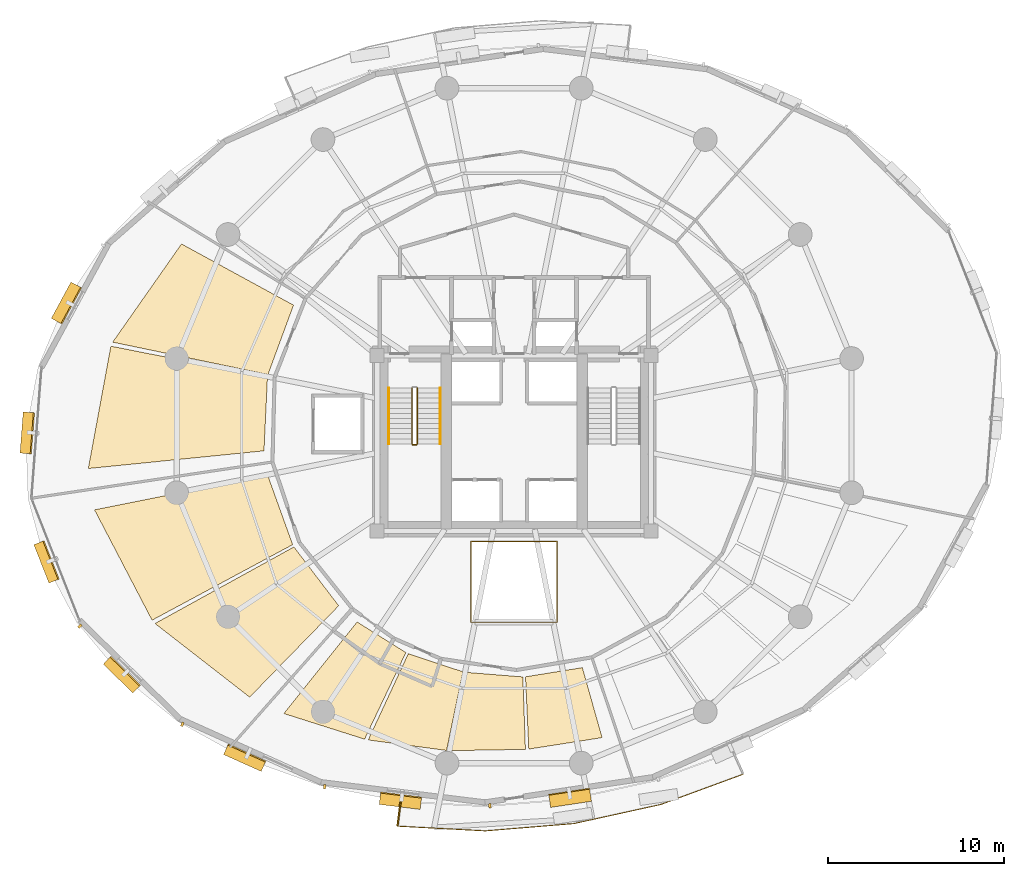
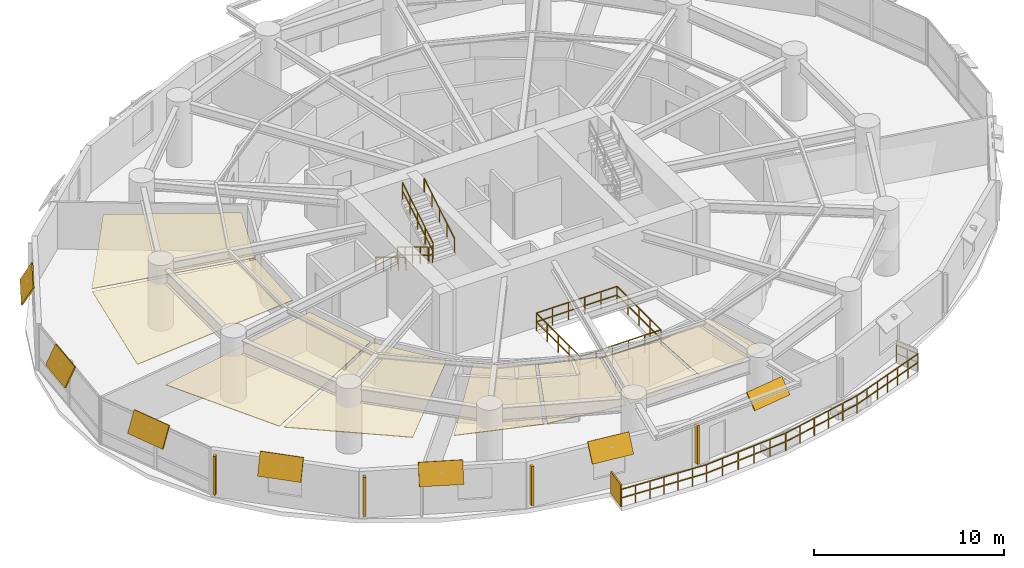
# One storey, part 15 of 17: 12 shading devices, 8 coverings, 7 railings.
"""IFC4 building model written with IfcOpenShell, lengths in metres."""

from ifc_helpers import new_model, si_unit, direction, frame, origin, origin_2d, place, context, subcontext, project, spatial, polyline, rectangle, outline, extrude, material, layer, layer_set, type_object, element, save


model = new_model("IFC4")

# Units and contexts
model_context = context("Model", 3, precision=1e-05, world=origin(), true_north=direction((0.0, 1.0)))
body_context = subcontext(model_context, "Body", "Model", "MODEL_VIEW")
ifc_project = project(units=[si_unit("LENGTHUNIT", "METRE"), si_unit("AREAUNIT", "SQUARE_METRE"), si_unit("VOLUMEUNIT", "CUBIC_METRE"), si_unit("PLANEANGLEUNIT", "RADIAN"), si_unit("MASSUNIT", "GRAM", prefix="KILO"), si_unit("THERMODYNAMICTEMPERATUREUNIT", "KELVIN"), si_unit("POWERUNIT", "WATT")], contexts=[model_context])

# Site, building, storey
site_placement = place(None, origin())
site = spatial("IfcSite", under=ifc_project, at=site_placement, CompositionType="ELEMENT")
building_placement = place(site_placement, origin())
building = spatial("IfcBuilding", under=site, at=building_placement, Name="Ocrelia Relay Tower", CompositionType="ELEMENT")
storey_placement = place(building_placement, frame((0.0, 0.0, 67.800048828125)))
storey = spatial("IfcBuildingStorey", under=building, at=storey_placement, Name="L15", CompositionType="ELEMENT", Elevation=67.800048828125)

# Coverings
ifc_material_1 = material(Name="Mineral-fiber acoustic ceiling tile", Category="gypsum")
ifc_layer_1 = layer(ifc_material_1, 0.0400390625, Name="Mineral-fiber acoustic ceiling tile")
ifc_layer_set_1 = layer_set([ifc_layer_1], Name="Mineral-fiber acoustic ceiling tile")
covering_type_1 = type_object("IfcCoveringType", Name="COV-CEIL-ACOUSTIC", PredefinedType="CEILING", material=ifc_layer_set_1)
covering_1_placement = place(storey_placement, frame((0.0, 0.0, 2.919921875)))
element("IfcCovering", 1, at=covering_1_placement, inside=storey, type_object=covering_type_1, Name="L15 Operations Control Office A Suspended Ceiling 1", PredefinedType="CEILING", context=body_context, shape_type="SweptSolid", body=[
    extrude(outline(polyline([(25.056396484375, 14.81640625), (20.885009765625, 9.600341796875), (25.481689453125, 8.14111328125), (27.835205078125, 13.074951171875), (25.056396484375, 14.81640625)])), origin(), (0.0, 0.0, 1.0), 0.0400390625),
])
covering_2_placement = place(storey_placement, frame((0.0, 0.0, 2.919921875)))
element("IfcCovering", 2, at=covering_2_placement, inside=storey, type_object=covering_type_1, Name="L15 Operations Control Office A Suspended Ceiling 2", PredefinedType="CEILING", context=body_context, shape_type="SweptSolid", body=[
    extrude(outline(polyline([(27.970703125, 13.010986328125), (25.689208984375, 8.095947265625), (30.15185546875, 7.498779296875), (31.083984375, 11.97998046875), (27.970703125, 13.010986328125)])), origin(), (0.0, 0.0, 1.0), 0.0400390625),
])
covering_3_placement = place(storey_placement, frame((0.0, 0.0, 2.919921875)))
element("IfcCovering", 3, at=covering_3_placement, inside=storey, type_object=covering_type_1, Name="L15 Operations Control Office A Suspended Ceiling 3", PredefinedType="CEILING", context=body_context, shape_type="SweptSolid", body=[
    extrude(outline(polyline([(31.230712890625, 11.9501953125), (30.351318359375, 7.48779296875), (34.64404296875, 7.559326171875), (34.499755859375, 11.688720703125), (31.230712890625, 11.9501953125)])), origin(), (0.0, 0.0, 1.0), 0.0400390625),
])
covering_4_placement = place(storey_placement, frame((0.0, 0.0, 2.919921875)))
element("IfcCovering", 4, at=covering_4_placement, inside=storey, type_object=covering_type_1, Name="L15 Operations Control Office A Suspended Ceiling 4", PredefinedType="CEILING", context=body_context, shape_type="SweptSolid", body=[
    extrude(outline(polyline([(34.649658203125, 11.694580078125), (34.836669921875, 7.576171875), (39.011474609375, 8.23046875), (37.886962890625, 12.217529296875), (34.649658203125, 11.694580078125)])), origin(), (0.0, 0.0, 1.0), 0.0400390625),
])
covering_5_placement = place(storey_placement, frame((0.0, 0.0, 2.919921875)))
element("IfcCovering", 5, at=covering_5_placement, inside=storey, type_object=covering_type_1, Name="L15 Carrier Briefing Room Suspended Ceiling 1", PredefinedType="CEILING", context=body_context, shape_type="SweptSolid", body=[
    extrude(outline(polyline([(21.433349609375, 32.86572265625), (15.053466796875, 36.351318359375), (11.13232421875, 30.756591796875), (19.97998046875, 28.916015625), (21.433349609375, 32.86572265625)])), origin(), (0.0, 0.0, 1.0), 0.0400390625),
])
covering_6_placement = place(storey_placement, frame((0.0, 0.0, 2.919921875)))
element("IfcCovering", 6, at=covering_6_placement, inside=storey, type_object=covering_type_1, Name="L15 Carrier Briefing Room Suspended Ceiling 2", PredefinedType="CEILING", context=body_context, shape_type="SweptSolid", body=[
    extrude(outline(polyline([(19.9501953125, 28.769287109375), (11.030029296875, 30.52734375), (9.74462890625, 23.5576171875), (19.752197265625, 24.565185546875), (19.9501953125, 28.769287109375)])), origin(), (0.0, 0.0, 1.0), 0.0400390625),
])
ifc_material_2 = material(Name="Cleanroom metal-pan acoustic ceiling", Category="aluminium")
ifc_layer_2 = layer(ifc_material_2, 0.0400390625, Name="Cleanroom metal-pan acoustic ceiling")
ifc_layer_set_2 = layer_set([ifc_layer_2], Name="Cleanroom metal-pan acoustic ceiling")
covering_type_2 = type_object("IfcCoveringType", Name="COV-CEIL-CLEAN", PredefinedType="CEILING", material=ifc_layer_set_2)
covering_7_placement = place(storey_placement, frame((0.0, 0.0, 2.919921875)))
element("IfcCovering", 7, at=covering_7_placement, inside=storey, type_object=covering_type_2, Name="L15 Network Monitoring Studio Suspended Ceiling 1", PredefinedType="CEILING", context=body_context, shape_type="SweptSolid", body=[
    extrude(outline(polyline([(19.960205078125, 23.181884765625), (10.098876953125, 21.202392578125), (13.376708984375, 14.918701171875), (21.385498046875, 19.22216796875), (19.960205078125, 23.181884765625)])), origin(), (0.0, 0.0, 1.0), 0.0400390625),
])
covering_8_placement = place(storey_placement, frame((0.0, 0.0, 2.919921875)))
element("IfcCovering", 8, at=covering_8_placement, inside=storey, type_object=covering_type_2, Name="L15 Network Monitoring Studio Suspended Ceiling 2", PredefinedType="CEILING", context=body_context, shape_type="SweptSolid", body=[
    extrude(outline(polyline([(21.457275390625, 19.09033203125), (13.5419921875, 14.729736328125), (18.934814453125, 10.53515625), (24.007568359375, 15.74267578125), (21.457275390625, 19.09033203125)])), origin(), (0.0, 0.0, 1.0), 0.0400390625),
])

# Railings
ifc_material_3 = material(Name="Steel S355 balustrade", Category="steel")
railing_type_1 = type_object("IfcRailingType", Name="RL-EXT-GUARD-1150", PredefinedType="GUARDRAIL", material=ifc_material_3)
railing_1_placement = place(storey_placement, frame((46.486083984375, 7.41748046875, 0.0)))
element("IfcRailing", 9, at=railing_1_placement, inside=storey, type_object=railing_type_1, Name="L15 Loggia Balcony Guard Rail B2", PredefinedType="GUARDRAIL", context=body_context, shape_type="SweptSolid", body=[
    extrude(rectangle(XDim=0.048095703125, YDim=0.048095703125, at=origin_2d()), frame((0.0, 0.0, 1.1259765625), z_axis=(0.410116994028, -0.912032922218, 0.0), x_axis=(0.912032922218, 0.410116994028, 0.0)), (0.0, 0.0, 1.0), 1.3935546875),
    extrude(rectangle(XDim=0.048095703125, YDim=0.048095703125, at=origin_2d()), frame((0.0, 0.0, 0.574951171875), z_axis=(0.410116994028, -0.912032922218, 0.0), x_axis=(0.912032922218, 0.410116994028, 0.0)), (0.0, 0.0, 1.0), 1.3935546875),
    extrude(rectangle(XDim=0.048095703125, YDim=0.048095703125, at=origin_2d()), frame((0.571533203125, -1.27099609375, 1.1259765625), z_axis=(-0.938667184319, -0.34482447286, 0.0), x_axis=(0.34482447286, -0.938667184319, 0.0)), (0.0, 0.0, 1.0), 2.5048828125),
    extrude(rectangle(XDim=0.048095703125, YDim=0.048095703125, at=origin_2d()), frame((0.571533203125, -1.27099609375, 0.574951171875), z_axis=(-0.938667184319, -0.34482447286, 0.0), x_axis=(0.34482447286, -0.938667184319, 0.0)), (0.0, 0.0, 1.0), 2.5048828125),
    extrude(rectangle(XDim=0.048095703125, YDim=0.048095703125, at=origin_2d()), frame((-1.77978515625, -2.134765625, 1.1259765625), z_axis=(-0.938635635039, -0.344910342893, 0.0), x_axis=(0.344910342893, -0.938635635039, 0.0)), (0.0, 0.0, 1.0), 2.505126953125),
    extrude(rectangle(XDim=0.048095703125, YDim=0.048095703125, at=origin_2d()), frame((-1.77978515625, -2.134765625, 0.574951171875), z_axis=(-0.938635635039, -0.344910342893, 0.0), x_axis=(0.344910342893, -0.938635635039, 0.0)), (0.0, 0.0, 1.0), 2.505126953125),
    extrude(rectangle(XDim=0.048095703125, YDim=0.048095703125, at=origin_2d()), frame((-4.131103515625, -2.998779296875, 1.1259765625), z_axis=(-0.976691377526, -0.214648440634, 0.0), x_axis=(0.214648440634, -0.976691377526, 0.0)), (0.0, 0.0, 1.0), 5.06494140625),
    extrude(rectangle(XDim=0.048095703125, YDim=0.048095703125, at=origin_2d()), frame((-4.131103515625, -2.998779296875, 0.574951171875), z_axis=(-0.976691377526, -0.214648440634, 0.0), x_axis=(0.214648440634, -0.976691377526, 0.0)), (0.0, 0.0, 1.0), 5.06494140625),
    extrude(rectangle(XDim=0.048095703125, YDim=0.048095703125, at=origin_2d()), frame((-9.077880859375, -4.0859375, 1.1259765625), z_axis=(-0.996629347747, -0.082036231072, 0.0), x_axis=(0.082036231072, -0.996629347747, 0.0)), (0.0, 0.0, 1.0), 5.065185546875),
    extrude(rectangle(XDim=0.048095703125, YDim=0.048095703125, at=origin_2d()), frame((-9.077880859375, -4.0859375, 0.574951171875), z_axis=(-0.996629347747, -0.082036231072, 0.0), x_axis=(0.082036231072, -0.996629347747, 0.0)), (0.0, 0.0, 1.0), 5.065185546875),
    extrude(rectangle(XDim=0.048095703125, YDim=0.048095703125, at=origin_2d()), frame((-14.1259765625, -4.50146484375, 1.1259765625), z_axis=(-0.998562362618, 0.053602313043, 0.0), x_axis=(-0.053602313043, -0.998562362618, 0.0)), (0.0, 0.0, 1.0), 2.505126953125),
    extrude(rectangle(XDim=0.048095703125, YDim=0.048095703125, at=origin_2d()), frame((-14.1259765625, -4.50146484375, 0.574951171875), z_axis=(-0.998562362618, 0.053602313043, 0.0), x_axis=(-0.053602313043, -0.998562362618, 0.0)), (0.0, 0.0, 1.0), 2.505126953125),
    extrude(rectangle(XDim=0.048095703125, YDim=0.048095703125, at=origin_2d()), frame((-16.62744140625, -4.3671875, 1.1259765625), z_axis=(-0.998556860337, 0.053704717428, 0.0), x_axis=(-0.053704717428, -0.998556860337, 0.0)), (0.0, 0.0, 1.0), 2.5048828125),
    extrude(rectangle(XDim=0.048095703125, YDim=0.048095703125, at=origin_2d()), frame((-16.62744140625, -4.3671875, 0.574951171875), z_axis=(-0.998556860337, 0.053704717428, 0.0), x_axis=(-0.053704717428, -0.998556860337, 0.0)), (0.0, 0.0, 1.0), 2.5048828125),
    extrude(rectangle(XDim=0.048095703125, YDim=0.048095703125, at=origin_2d()), frame((-19.128662109375, -4.232666015625, 1.1259765625), z_axis=(0.123689721984, 0.992320942375, 0.0), x_axis=(-0.992320942375, 0.123689721984, 0.0)), (0.0, 0.0, 1.0), 1.3935546875),
    extrude(rectangle(XDim=0.048095703125, YDim=0.048095703125, at=origin_2d()), frame((-19.128662109375, -4.232666015625, 0.574951171875), z_axis=(0.123689721984, 0.992320942375, 0.0), x_axis=(-0.992320942375, 0.123689721984, 0.0)), (0.0, 0.0, 1.0), 1.3935546875),
    extrude(rectangle(XDim=0.0419921875, YDim=0.0419921875, at=origin_2d()), origin(), (0.0, 0.0, 1.0), 1.101806640625),
    extrude(rectangle(XDim=0.0419921875, YDim=0.0419921875, at=origin_2d()), frame((0.28564453125, -0.635498046875, 0.0)), (0.0, 0.0, 1.0), 1.101806640625),
    extrude(rectangle(XDim=0.0419921875, YDim=0.0419921875, at=origin_2d()), frame((0.571533203125, -1.27099609375, 0.0)), (0.0, 0.0, 1.0), 1.101806640625),
    extrude(rectangle(XDim=0.0419921875, YDim=0.0419921875, at=origin_2d()), frame((-0.212158203125, -1.558837890625, 0.0)), (0.0, 0.0, 1.0), 1.101806640625),
    extrude(rectangle(XDim=0.0419921875, YDim=0.0419921875, at=origin_2d()), frame((-0.99609375, -1.846923828125, 0.0)), (0.0, 0.0, 1.0), 1.101806640625),
    extrude(rectangle(XDim=0.0419921875, YDim=0.0419921875, at=origin_2d()), frame((-1.77978515625, -2.134765625, 0.0)), (0.0, 0.0, 1.0), 1.101806640625),
    extrude(rectangle(XDim=0.0419921875, YDim=0.0419921875, at=origin_2d()), frame((-2.5634765625, -2.4228515625, 0.0)), (0.0, 0.0, 1.0), 1.101806640625),
    extrude(rectangle(XDim=0.0419921875, YDim=0.0419921875, at=origin_2d()), frame((-3.347412109375, -2.710693359375, 0.0)), (0.0, 0.0, 1.0), 1.101806640625),
    extrude(rectangle(XDim=0.0419921875, YDim=0.0419921875, at=origin_2d()), frame((-4.131103515625, -2.998779296875, 0.0)), (0.0, 0.0, 1.0), 1.101806640625),
    extrude(rectangle(XDim=0.0419921875, YDim=0.0419921875, at=origin_2d()), frame((-5.120361328125, -3.21630859375, 0.0)), (0.0, 0.0, 1.0), 1.101806640625),
    extrude(rectangle(XDim=0.0419921875, YDim=0.0419921875, at=origin_2d()), frame((-6.10986328125, -3.43359375, 0.0)), (0.0, 0.0, 1.0), 1.101806640625),
    extrude(rectangle(XDim=0.0419921875, YDim=0.0419921875, at=origin_2d()), frame((-7.09912109375, -3.651123046875, 0.0)), (0.0, 0.0, 1.0), 1.101806640625),
    extrude(rectangle(XDim=0.0419921875, YDim=0.0419921875, at=origin_2d()), frame((-8.088623046875, -3.868408203125, 0.0)), (0.0, 0.0, 1.0), 1.101806640625),
    extrude(rectangle(XDim=0.0419921875, YDim=0.0419921875, at=origin_2d()), frame((-9.077880859375, -4.0859375, 0.0)), (0.0, 0.0, 1.0), 1.101806640625),
    extrude(rectangle(XDim=0.0419921875, YDim=0.0419921875, at=origin_2d()), frame((-10.08740234375, -4.1689453125, 0.0)), (0.0, 0.0, 1.0), 1.101806640625),
    extrude(rectangle(XDim=0.0419921875, YDim=0.0419921875, at=origin_2d()), frame((-11.09716796875, -4.252197265625, 0.0)), (0.0, 0.0, 1.0), 1.101806640625),
    extrude(rectangle(XDim=0.0419921875, YDim=0.0419921875, at=origin_2d()), frame((-12.106689453125, -4.335205078125, 0.0)), (0.0, 0.0, 1.0), 1.101806640625),
    extrude(rectangle(XDim=0.0419921875, YDim=0.0419921875, at=origin_2d()), frame((-13.116455078125, -4.41845703125, 0.0)), (0.0, 0.0, 1.0), 1.101806640625),
    extrude(rectangle(XDim=0.0419921875, YDim=0.0419921875, at=origin_2d()), frame((-14.1259765625, -4.50146484375, 0.0)), (0.0, 0.0, 1.0), 1.101806640625),
    extrude(rectangle(XDim=0.0419921875, YDim=0.0419921875, at=origin_2d()), frame((-14.959716796875, -4.456787109375, 0.0)), (0.0, 0.0, 1.0), 1.101806640625),
    extrude(rectangle(XDim=0.0419921875, YDim=0.0419921875, at=origin_2d()), frame((-15.793701171875, -4.411865234375, 0.0)), (0.0, 0.0, 1.0), 1.101806640625),
    extrude(rectangle(XDim=0.0419921875, YDim=0.0419921875, at=origin_2d()), frame((-16.62744140625, -4.3671875, 0.0)), (0.0, 0.0, 1.0), 1.101806640625),
    extrude(rectangle(XDim=0.0419921875, YDim=0.0419921875, at=origin_2d()), frame((-17.461181640625, -4.322265625, 0.0)), (0.0, 0.0, 1.0), 1.101806640625),
    extrude(rectangle(XDim=0.0419921875, YDim=0.0419921875, at=origin_2d()), frame((-18.294921875, -4.277587890625, 0.0)), (0.0, 0.0, 1.0), 1.101806640625),
    extrude(rectangle(XDim=0.0419921875, YDim=0.0419921875, at=origin_2d()), frame((-19.128662109375, -4.232666015625, 0.0)), (0.0, 0.0, 1.0), 1.101806640625),
    extrude(rectangle(XDim=0.0419921875, YDim=0.0419921875, at=origin_2d()), frame((-19.04248046875, -3.541259765625, 0.0)), (0.0, 0.0, 1.0), 1.101806640625),
    extrude(rectangle(XDim=0.0419921875, YDim=0.0419921875, at=origin_2d()), frame((-18.956298828125, -2.849853515625, 0.0)), (0.0, 0.0, 1.0), 1.101806640625),
])
ifc_material_4 = material(Name="Steel S355 atrium balustrade", Category="steel")
railing_type_2 = type_object("IfcRailingType", Name="RL-INT-GUARD-115", PredefinedType="GUARDRAIL", material=ifc_material_4)
railing_2_placement = place(storey_placement, frame((31.550048828125, 14.800048828125, 0.0)))
element("IfcRailing", 10, at=railing_2_placement, inside=storey, type_object=railing_type_2, Name="L15 Multi-Zone Interior Atrium Guard", PredefinedType="GUARDRAIL", context=body_context, shape_type="SweptSolid", body=[
    extrude(rectangle(XDim=0.048095703125, YDim=0.048095703125, at=origin_2d()), frame((0.0, 0.0, 1.1259765625), z_axis=(1.0, 0.0, 0.0), x_axis=(0.0, 1.0, 0.0)), (0.0, 0.0, 1.0), 4.89990234375),
    extrude(rectangle(XDim=0.048095703125, YDim=0.048095703125, at=origin_2d()), frame((0.0, 0.0, 0.574951171875), z_axis=(1.0, 0.0, 0.0), x_axis=(0.0, 1.0, 0.0)), (0.0, 0.0, 1.0), 4.89990234375),
    extrude(rectangle(XDim=0.048095703125, YDim=0.048095703125, at=origin_2d()), frame((4.89990234375, 0.0, 1.1259765625), z_axis=(0.0, 1.0, 0.0), x_axis=(-1.0, 0.0, 0.0)), (0.0, 0.0, 1.0), 4.599853515625),
    extrude(rectangle(XDim=0.048095703125, YDim=0.048095703125, at=origin_2d()), frame((4.89990234375, 0.0, 0.574951171875), z_axis=(0.0, 1.0, 0.0), x_axis=(-1.0, 0.0, 0.0)), (0.0, 0.0, 1.0), 4.599853515625),
    extrude(rectangle(XDim=0.048095703125, YDim=0.048095703125, at=origin_2d()), frame((4.89990234375, 4.599853515625, 1.1259765625), z_axis=(-1.0, 0.0, 0.0), x_axis=(0.0, -1.0, 0.0)), (0.0, 0.0, 1.0), 4.89990234375),
    extrude(rectangle(XDim=0.048095703125, YDim=0.048095703125, at=origin_2d()), frame((4.89990234375, 4.599853515625, 0.574951171875), z_axis=(-1.0, 0.0, 0.0), x_axis=(0.0, -1.0, 0.0)), (0.0, 0.0, 1.0), 4.89990234375),
    extrude(rectangle(XDim=0.048095703125, YDim=0.048095703125, at=origin_2d()), frame((0.0, 4.599853515625, 1.1259765625), z_axis=(0.0, -1.0, 0.0), x_axis=(1.0, 0.0, 0.0)), (0.0, 0.0, 1.0), 4.599853515625),
    extrude(rectangle(XDim=0.048095703125, YDim=0.048095703125, at=origin_2d()), frame((0.0, 4.599853515625, 0.574951171875), z_axis=(0.0, -1.0, 0.0), x_axis=(1.0, 0.0, 0.0)), (0.0, 0.0, 1.0), 4.599853515625),
    extrude(rectangle(XDim=0.0419921875, YDim=0.0419921875, at=origin_2d()), origin(), (0.0, 0.0, 1.0), 1.101806640625),
    extrude(rectangle(XDim=0.0419921875, YDim=0.0419921875, at=origin_2d()), frame((0.97998046875, 0.0, 0.0)), (0.0, 0.0, 1.0), 1.101806640625),
    extrude(rectangle(XDim=0.0419921875, YDim=0.0419921875, at=origin_2d()), frame((1.9599609375, 0.0, 0.0)), (0.0, 0.0, 1.0), 1.101806640625),
    extrude(rectangle(XDim=0.0419921875, YDim=0.0419921875, at=origin_2d()), frame((2.93994140625, 0.0, 0.0)), (0.0, 0.0, 1.0), 1.101806640625),
    extrude(rectangle(XDim=0.0419921875, YDim=0.0419921875, at=origin_2d()), frame((3.919921875, 0.0, 0.0)), (0.0, 0.0, 1.0), 1.101806640625),
    extrude(rectangle(XDim=0.0419921875, YDim=0.0419921875, at=origin_2d()), frame((4.89990234375, 0.0, 0.0)), (0.0, 0.0, 1.0), 1.101806640625),
    extrude(rectangle(XDim=0.0419921875, YDim=0.0419921875, at=origin_2d()), frame((4.89990234375, 1.14990234375, 0.0)), (0.0, 0.0, 1.0), 1.101806640625),
    extrude(rectangle(XDim=0.0419921875, YDim=0.0419921875, at=origin_2d()), frame((4.89990234375, 2.2998046875, 0.0)), (0.0, 0.0, 1.0), 1.101806640625),
    extrude(rectangle(XDim=0.0419921875, YDim=0.0419921875, at=origin_2d()), frame((4.89990234375, 3.449951171875, 0.0)), (0.0, 0.0, 1.0), 1.101806640625),
    extrude(rectangle(XDim=0.0419921875, YDim=0.0419921875, at=origin_2d()), frame((4.89990234375, 4.599853515625, 0.0)), (0.0, 0.0, 1.0), 1.101806640625),
    extrude(rectangle(XDim=0.0419921875, YDim=0.0419921875, at=origin_2d()), frame((3.919921875, 4.599853515625, 0.0)), (0.0, 0.0, 1.0), 1.101806640625),
    extrude(rectangle(XDim=0.0419921875, YDim=0.0419921875, at=origin_2d()), frame((2.93994140625, 4.599853515625, 0.0)), (0.0, 0.0, 1.0), 1.101806640625),
    extrude(rectangle(XDim=0.0419921875, YDim=0.0419921875, at=origin_2d()), frame((1.9599609375, 4.599853515625, 0.0)), (0.0, 0.0, 1.0), 1.101806640625),
    extrude(rectangle(XDim=0.0419921875, YDim=0.0419921875, at=origin_2d()), frame((0.97998046875, 4.599853515625, 0.0)), (0.0, 0.0, 1.0), 1.101806640625),
    extrude(rectangle(XDim=0.0419921875, YDim=0.0419921875, at=origin_2d()), frame((0.0, 4.599853515625, 0.0)), (0.0, 0.0, 1.0), 1.101806640625),
    extrude(rectangle(XDim=0.0419921875, YDim=0.0419921875, at=origin_2d()), frame((0.0, 3.449951171875, 0.0)), (0.0, 0.0, 1.0), 1.101806640625),
    extrude(rectangle(XDim=0.0419921875, YDim=0.0419921875, at=origin_2d()), frame((0.0, 2.2998046875, 0.0)), (0.0, 0.0, 1.0), 1.101806640625),
    extrude(rectangle(XDim=0.0419921875, YDim=0.0419921875, at=origin_2d()), frame((0.0, 1.14990234375, 0.0)), (0.0, 0.0, 1.0), 1.101806640625),
])
railing_type_3 = type_object("IfcRailingType", Name="RL-STAIR-GUARD", PredefinedType="GUARDRAIL", material=ifc_material_3)
railing_3_placement = place(storey_placement, frame((28.179931640625, 28.14990234375, 0.175048828125)))
element("IfcRailing", 11, at=railing_3_placement, inside=storey, type_object=railing_type_3, Name="L15 ST1 stair guard 1", PredefinedType="GUARDRAIL", context=body_context, shape_type="SweptSolid", body=[
    extrude(rectangle(XDim=0.048095703125, YDim=0.048095703125, at=origin_2d()), frame((0.0, 0.0, 1.076171875), z_axis=(0.0, -0.856206652436, 0.516633495163), x_axis=(1.0, 0.0, 0.0)), (0.0, 0.0, 1.0), 3.7255859375),
    extrude(rectangle(XDim=0.048095703125, YDim=0.048095703125, at=origin_2d()), frame((0.0, 0.0, 0.550048828125), z_axis=(0.0, -0.856206652436, 0.516633495163), x_axis=(1.0, 0.0, 0.0)), (0.0, 0.0, 1.0), 3.7255859375),
    extrude(rectangle(XDim=0.0419921875, YDim=0.0419921875, at=origin_2d()), origin(), (0.0, 0.0, 1.0), 1.052001953125),
    extrude(rectangle(XDim=0.0419921875, YDim=0.0419921875, at=origin_2d()), frame((0.0, -0.79736328125, 0.481201171875)), (0.0, 0.0, 1.0), 1.052001953125),
    extrude(rectangle(XDim=0.0419921875, YDim=0.0419921875, at=origin_2d()), frame((0.0, -1.594970703125, 0.96240234375)), (0.0, 0.0, 1.0), 1.052001953125),
    extrude(rectangle(XDim=0.0419921875, YDim=0.0419921875, at=origin_2d()), frame((0.0, -2.392578125, 1.443603515625)), (0.0, 0.0, 1.0), 1.052001953125),
    extrude(rectangle(XDim=0.0419921875, YDim=0.0419921875, at=origin_2d()), frame((0.0, -3.18994140625, 1.9248046875)), (0.0, 0.0, 1.0), 1.052001953125),
])
railing_4_placement = place(storey_placement, frame((28.22998046875, 24.909912109375, 2.099853515625)))
element("IfcRailing", 12, at=railing_4_placement, inside=storey, type_object=railing_type_3, Name="L15 ST1 stair guard 2", PredefinedType="GUARDRAIL", context=body_context, shape_type="SweptSolid", body=[
    extrude(rectangle(XDim=0.048095703125, YDim=0.048095703125, at=origin_2d()), frame((0.0, 0.0, 1.076171875), z_axis=(1.0, 0.0, 0.0), x_axis=(0.0, 1.0, 0.0)), (0.0, 0.0, 1.0), 0.199951171875),
    extrude(rectangle(XDim=0.048095703125, YDim=0.048095703125, at=origin_2d()), frame((0.0, 0.0, 0.550048828125), z_axis=(1.0, 0.0, 0.0), x_axis=(0.0, 1.0, 0.0)), (0.0, 0.0, 1.0), 0.199951171875),
    extrude(rectangle(XDim=0.0419921875, YDim=0.0419921875, at=origin_2d()), origin(), (0.0, 0.0, 1.0), 1.052001953125),
    extrude(rectangle(XDim=0.0419921875, YDim=0.0419921875, at=origin_2d()), frame((0.199951171875, 0.0, 0.0)), (0.0, 0.0, 1.0), 1.052001953125),
])
railing_5_placement = place(storey_placement, frame((28.47998046875, 24.9599609375, 2.27490234375)))
element("IfcRailing", 13, at=railing_5_placement, inside=storey, type_object=railing_type_3, Name="L15 ST1 stair guard 3", PredefinedType="GUARDRAIL", context=body_context, shape_type="SweptSolid", body=[
    extrude(rectangle(XDim=0.048095703125, YDim=0.048095703125, at=origin_2d()), frame((0.0, 0.0, 1.076171875), z_axis=(0.0, 0.856177665481, 0.516681531633), x_axis=(-1.0, 0.0, 0.0)), (0.0, 0.0, 1.0), 3.725830078125),
    extrude(rectangle(XDim=0.048095703125, YDim=0.048095703125, at=origin_2d()), frame((0.0, 0.0, 0.550048828125), z_axis=(0.0, 0.856177665481, 0.516681531633), x_axis=(-1.0, 0.0, 0.0)), (0.0, 0.0, 1.0), 3.725830078125),
    extrude(rectangle(XDim=0.0419921875, YDim=0.0419921875, at=origin_2d()), origin(), (0.0, 0.0, 1.0), 1.052001953125),
    extrude(rectangle(XDim=0.0419921875, YDim=0.0419921875, at=origin_2d()), frame((0.0, 0.79736328125, 0.481201171875)), (0.0, 0.0, 1.0), 1.052001953125),
    extrude(rectangle(XDim=0.0419921875, YDim=0.0419921875, at=origin_2d()), frame((0.0, 1.594970703125, 0.96240234375)), (0.0, 0.0, 1.0), 1.052001953125),
    extrude(rectangle(XDim=0.0419921875, YDim=0.0419921875, at=origin_2d()), frame((0.0, 2.392578125, 1.44384765625)), (0.0, 0.0, 1.0), 1.052001953125),
    extrude(rectangle(XDim=0.0419921875, YDim=0.0419921875, at=origin_2d()), frame((0.0, 3.18994140625, 1.925048828125)), (0.0, 0.0, 1.0), 1.052001953125),
])
ifc_material_5 = material(Name="Steel S355 tubular handrail", Category="steel")
railing_type_4 = type_object("IfcRailingType", Name="RL-STAIR-HAND", PredefinedType="HANDRAIL", material=ifc_material_5)
railing_6_placement = place(storey_placement, frame((26.860107421875, 28.14990234375, 0.175048828125)))
element("IfcRailing", 14, at=railing_6_placement, inside=storey, type_object=railing_type_4, Name="L15 ST1 stair handrail 1", PredefinedType="HANDRAIL", context=body_context, shape_type="SweptSolid", body=[
    extrude(rectangle(XDim=0.048095703125, YDim=0.048095703125, at=origin_2d()), frame((0.0, 0.0, 0.8759765625), z_axis=(0.0, -0.856206652436, 0.516633495163), x_axis=(1.0, 0.0, 0.0)), (0.0, 0.0, 1.0), 3.7255859375),
    extrude(rectangle(XDim=0.0419921875, YDim=0.0419921875, at=origin_2d()), origin(), (0.0, 0.0, 1.0), 0.851806640625),
    extrude(rectangle(XDim=0.0419921875, YDim=0.0419921875, at=origin_2d()), frame((0.0, -0.79736328125, 0.481201171875)), (0.0, 0.0, 1.0), 0.851806640625),
    extrude(rectangle(XDim=0.0419921875, YDim=0.0419921875, at=origin_2d()), frame((0.0, -1.594970703125, 0.96240234375)), (0.0, 0.0, 1.0), 0.851806640625),
    extrude(rectangle(XDim=0.0419921875, YDim=0.0419921875, at=origin_2d()), frame((0.0, -2.392578125, 1.443603515625)), (0.0, 0.0, 1.0), 0.851806640625),
    extrude(rectangle(XDim=0.0419921875, YDim=0.0419921875, at=origin_2d()), frame((0.0, -3.18994140625, 1.9248046875)), (0.0, 0.0, 1.0), 0.851806640625),
])
railing_7_placement = place(storey_placement, frame((29.800048828125, 24.9599609375, 2.27490234375)))
element("IfcRailing", 15, at=railing_7_placement, inside=storey, type_object=railing_type_4, Name="L15 ST1 stair handrail 2", PredefinedType="HANDRAIL", context=body_context, shape_type="SweptSolid", body=[
    extrude(rectangle(XDim=0.048095703125, YDim=0.048095703125, at=origin_2d()), frame((0.0, 0.0, 0.8759765625), z_axis=(0.0, 0.856177665481, 0.516681531633), x_axis=(-1.0, 0.0, 0.0)), (0.0, 0.0, 1.0), 3.725830078125),
    extrude(rectangle(XDim=0.0419921875, YDim=0.0419921875, at=origin_2d()), origin(), (0.0, 0.0, 1.0), 0.851806640625),
    extrude(rectangle(XDim=0.0419921875, YDim=0.0419921875, at=origin_2d()), frame((0.0, 0.79736328125, 0.481201171875)), (0.0, 0.0, 1.0), 0.851806640625),
    extrude(rectangle(XDim=0.0419921875, YDim=0.0419921875, at=origin_2d()), frame((0.0, 1.594970703125, 0.96240234375)), (0.0, 0.0, 1.0), 0.851806640625),
    extrude(rectangle(XDim=0.0419921875, YDim=0.0419921875, at=origin_2d()), frame((0.0, 2.392578125, 1.44384765625)), (0.0, 0.0, 1.0), 0.851806640625),
    extrude(rectangle(XDim=0.0419921875, YDim=0.0419921875, at=origin_2d()), frame((0.0, 3.18994140625, 1.925048828125)), (0.0, 0.0, 1.0), 0.851806640625),
])

# Shading devices
ifc_material_6 = material(Name="Perforated oxide terracotta solar screen", Category="masonry")
ifc_layer_3 = layer(ifc_material_6, 0.090087890625, Name="Perforated oxide terracotta solar screen")
ifc_layer_set_3 = layer_set([ifc_layer_3], Name="Perforated oxide terracotta solar screen")
shading_device_type_1 = type_object("IfcShadingDeviceType", Name="SH-BALC-SCREEN", PredefinedType="USERDEFINED", material=ifc_layer_set_3)
shading_device_1_placement = place(storey_placement, frame((27.443603515625, 3.876220703125, 0.0), z_axis=(0.0, 0.0, 1.0), x_axis=(-0.123858092145, -0.992299941051, 0.0)))
element("IfcShadingDevice", 16, at=shading_device_1_placement, inside=storey, type_object=shading_device_type_1, Name="L15 Balcony Perforated Terracotta Screen B2-1", ObjectType="SCREEN", PredefinedType="USERDEFINED", context=body_context, shape_type="SweptSolid", body=[
    extrude(rectangle(XDim=1.340087890625, YDim=0.090087890625, at=origin_2d()), origin(), (0.0, 0.0, 1.0), 1.39990234375),
])
ifc_material_7 = material(Name="Extruded oxide terracotta vertical baguette", Category="masonry")
shading_device_type_2 = type_object("IfcShadingDeviceType", Name="SH-TERR-BAGUETTE", PredefinedType="USERDEFINED", material=ifc_material_7)
for number, where, z_axis, x_axis, name in (
    (17, (9.26025390625, 14.579833984375, 0.25), (0.0, 0.0, 1.0), (0.71384979623, -0.700298842225, 0.0), "L15 Oxide Terracotta Vertical Baguette 11"),
    (18, (15.100830078125, 8.986572265625, 0.25), (0.0, 0.0, 1.0), (0.912211329794, -0.409720013906, 0.0), "L15 Oxide Terracotta Vertical Baguette 12"),
    (19, (23.206787109375, 5.434326171875, 0.25), (0.0, 0.0, 1.0), (0.992477644782, -0.122425996456, 0.0), "L15 Oxide Terracotta Vertical Baguette 13"),
    (20, (32.6162109375, 4.34716796875, 0.25), (0.0, 0.0, 1.0), (0.988886764362, 0.148670667146, 0.0), "L15 Oxide Terracotta Vertical Baguette 14"),
):
    element("IfcShadingDevice", number, at=place(storey_placement, frame(where, z_axis=z_axis, x_axis=x_axis)), inside=storey, type_object=shading_device_type_2, Name=name, ObjectType="BAGUETTE", PredefinedType="USERDEFINED", context=body_context, shape_type="SweptSolid", body=[
        extrude(rectangle(XDim=0.139892578125, YDim=0.239990234375, at=origin_2d()), origin(), (0.0, 0.0, 1.0), 2.5),
    ])
ifc_material_8 = material(Name="Extruded oxide terracotta fin", Category="masonry")
ifc_layer_4 = layer(ifc_material_8, 0.080078125, Name="Extruded oxide terracotta fin")
ifc_layer_set_4 = layer_set([ifc_layer_4], Name="Extruded oxide terracotta fin")
shading_device_type_3 = type_object("IfcShadingDeviceType", Name="SH-VISOR-FIN-DEEP", PredefinedType="USERDEFINED", material=ifc_layer_set_4)
shading_device_2_placement = place(storey_placement, frame((8.53173828125, 32.965087890625, 2.820068359375), z_axis=(-0.763736303251, 0.413796528467, 0.495458668432), x_axis=(-0.476377522101, -0.879240840974, 0.0)))
element("IfcShadingDevice", 21, at=shading_device_2_placement, inside=storey, type_object=shading_device_type_3, Name="L15 Canted Terracotta Sun-Visor Fin 08", ObjectType="FIN", PredefinedType="USERDEFINED", context=body_context, shape_type="SweptSolid", body=[
    extrude(rectangle(XDim=2.35009765625, YDim=1.2548828125, at=origin_2d()), origin(), (0.0, 0.0, 1.0), 0.080078125),
])
shading_device_3_placement = place(storey_placement, frame((6.30419921875, 25.5830078125, 2.822265625), z_axis=(-0.895368908305, 0.069051030889, 0.439939169856), x_axis=(-0.076891882558, -0.997039436731, 0.0)))
element("IfcShadingDevice", 22, at=shading_device_3_placement, inside=storey, type_object=shading_device_type_3, Name="L15 Canted Terracotta Sun-Visor Fin 09", ObjectType="FIN", PredefinedType="USERDEFINED", context=body_context, shape_type="SweptSolid", body=[
    extrude(rectangle(XDim=2.35009765625, YDim=1.31494140625, at=origin_2d()), origin(), (0.0, 0.0, 1.0), 0.080078125),
])
shading_device_4_placement = place(storey_placement, frame((7.398193359375, 18.2529296875, 2.823486328125), z_axis=(-0.8480596853, -0.33423414007, 0.411196193781), x_axis=(0.366666983645, -0.930352257537, 0.0)))
element("IfcShadingDevice", 23, at=shading_device_4_placement, inside=storey, type_object=shading_device_type_3, Name="L15 Canted Terracotta Sun-Visor Fin 10", ObjectType="FIN", PredefinedType="USERDEFINED", context=body_context, shape_type="SweptSolid", body=[
    extrude(rectangle(XDim=2.35009765625, YDim=1.344970703125, at=origin_2d()), origin(), (0.0, 0.0, 1.0), 0.080078125),
])
shading_device_5_placement = place(storey_placement, frame((11.685302734375, 11.841552734375, 2.823486328125), z_axis=(-0.638756661326, -0.651116759067, 0.409923033842), x_axis=(0.71384979623, -0.700298842225, 0.0)))
element("IfcShadingDevice", 24, at=shading_device_5_placement, inside=storey, type_object=shading_device_type_3, Name="L15 Canted Terracotta Sun-Visor Fin 11", ObjectType="FIN", PredefinedType="USERDEFINED", context=body_context, shape_type="SweptSolid", body=[
    extrude(rectangle(XDim=2.35009765625, YDim=1.346923828125, at=origin_2d()), origin(), (0.0, 0.0, 1.0), 0.080078125),
])
shading_device_6_placement = place(storey_placement, frame((18.66943359375, 7.116943359375, 2.822021484375), z_axis=(-0.366927421108, -0.816936784599, 0.444947814477), x_axis=(0.912211329794, -0.409720013906, 0.0)))
element("IfcShadingDevice", 25, at=shading_device_6_placement, inside=storey, type_object=shading_device_type_3, Name="L15 Canted Terracotta Sun-Visor Fin 12", ObjectType="FIN", PredefinedType="USERDEFINED", context=body_context, shape_type="SweptSolid", body=[
    extrude(rectangle(XDim=2.35009765625, YDim=1.31005859375, at=origin_2d()), origin(), (0.0, 0.0, 1.0), 0.080078125),
])
shading_device_7_placement = place(storey_placement, frame((27.52978515625, 4.669921875, 2.818603515625), z_axis=(-0.103845772848, -0.841852311112, 0.529623207325), x_axis=(0.992477644782, -0.122425996456, 0.0)))
element("IfcShadingDevice", 26, at=shading_device_7_placement, inside=storey, type_object=shading_device_type_3, Name="L15 Canted Terracotta Sun-Visor Fin 13", ObjectType="FIN", PredefinedType="USERDEFINED", context=body_context, shape_type="SweptSolid", body=[
    extrude(rectangle(XDim=2.35009765625, YDim=1.217041015625, at=origin_2d()), origin(), (0.0, 0.0, 1.0), 0.080078125),
])
ifc_layer_5 = layer(ifc_material_8, 0.080078125, Name="Extruded oxide terracotta fin")
ifc_layer_set_5 = layer_set([ifc_layer_5], Name="Extruded oxide terracotta fin")
shading_device_type_4 = type_object("IfcShadingDeviceType", Name="SH-VISOR-FIN-MED", PredefinedType="USERDEFINED", material=ifc_layer_set_5)
shading_device_8_placement = place(storey_placement, frame((37.18212890625, 4.833984375, 2.8134765625), z_axis=(0.111862026476, -0.744053144716, 0.658689460119), x_axis=(0.988886764362, 0.148670667146, 0.0)))
element("IfcShadingDevice", 27, at=shading_device_8_placement, inside=storey, type_object=shading_device_type_4, Name="L15 Canted Terracotta Sun-Visor Fin 14", ObjectType="FIN", PredefinedType="USERDEFINED", context=body_context, shape_type="SweptSolid", body=[
    extrude(rectangle(XDim=2.35009765625, YDim=1.06298828125, at=origin_2d()), origin(), (0.0, 0.0, 1.0), 0.080078125),
])

save(model, "model.ifc")
